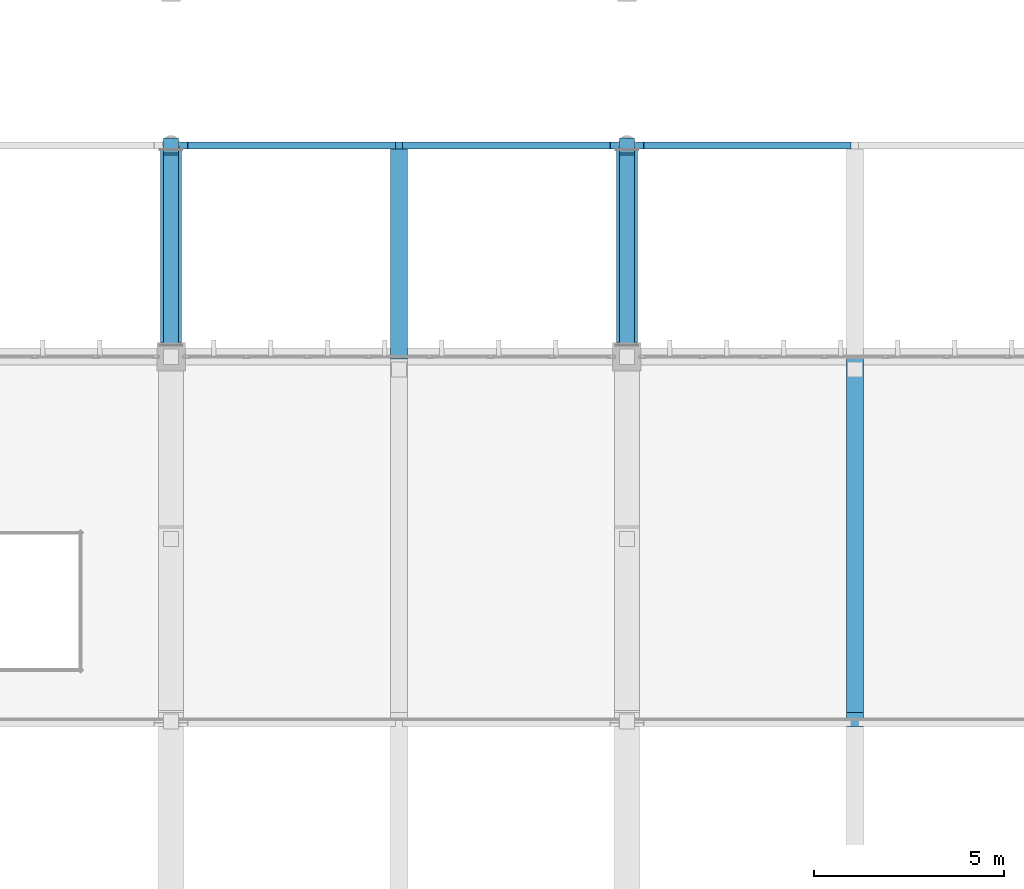
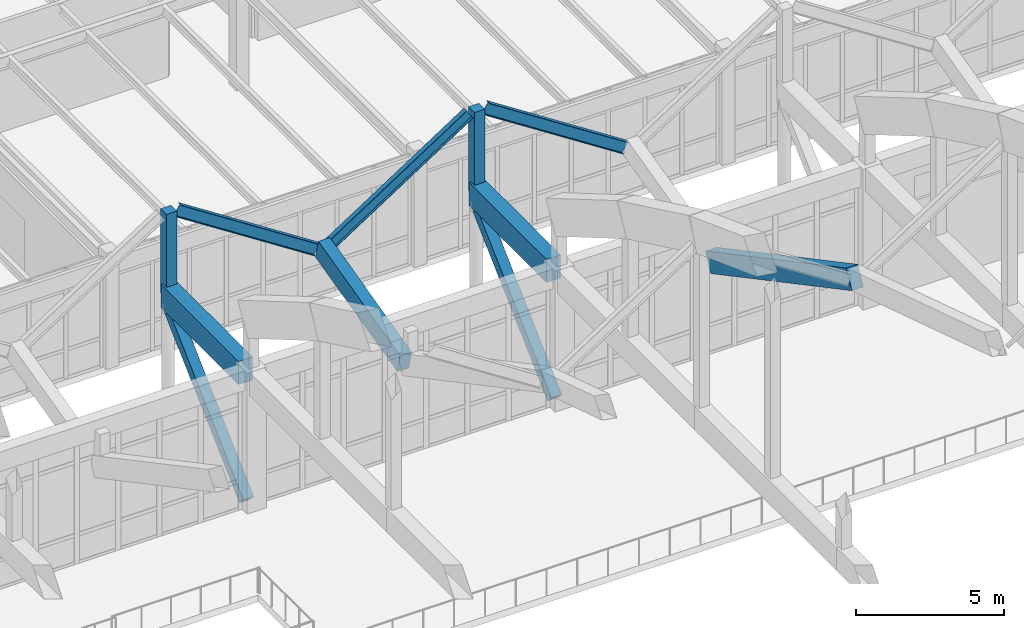
# One storey, part 86 of 236: 7 beams, 4 members.
"""IFC4 building model written with IfcOpenShell, lengths in metres."""

from ifc_helpers import new_model, si_unit, direction, frame, origin, origin_2d, place, context, subcontext, project, spatial, rectangle, i_section, extrude, material, material_profile, profile_set, type_object, element, save


model = new_model("IFC4")

# Units and contexts
model_context = context("Model", 3, precision=1e-05, world=origin(), true_north=direction((0.0, 1.0)))
body_context = subcontext(model_context, "Body", "Model", "MODEL_VIEW")
ifc_project = project(units=[si_unit("LENGTHUNIT", "METRE"), si_unit("AREAUNIT", "SQUARE_METRE"), si_unit("VOLUMEUNIT", "CUBIC_METRE"), si_unit("PLANEANGLEUNIT", "RADIAN"), si_unit("MASSUNIT", "GRAM", prefix="KILO")], contexts=[model_context])

# Site, building, storey
site_placement = place(None, origin())
site = spatial("IfcSite", under=ifc_project, at=site_placement, CompositionType="ELEMENT")
building_placement = place(site_placement, origin())
building = spatial("IfcBuilding", under=site, at=building_placement, Name="Pandanus Reach Market Hall", CompositionType="ELEMENT")
storey_placement = place(building_placement, frame((0.0, 0.0, 5.39990234375)))
storey = spatial("IfcBuildingStorey", under=building, at=storey_placement, Name="L01", CompositionType="ELEMENT", Elevation=5.39990234375)

# Members
ifc_material_1 = material(Name="Concrete N50 (50 MPa)", Category="concrete")
ifc_material_profile_1 = material_profile(ifc_material_1, rectangle(XDim=0.39990234375, YDim=0.39990234375, at=origin_2d()), Name="RC400x400", Category="LoadBearing")
ifc_profile_set_1 = profile_set([ifc_material_profile_1], Name="Concrete N50 (50 MPa)")
member_type_1 = type_object("IfcMemberType", Name="AR-WEB400-E", PredefinedType="STRUT", material=ifc_profile_set_1)
for number, where, z_axis, x_axis, name in (
    (1, (96.0, 91.9599609375, 5.3251953125), (0.0, 0.0, 1.0), (1.0, 0.0, 0.0), "Zigzag eaves ridge post A5.N"),
    (2, (108.0, 91.9599609375, 5.3251953125), (0.0, 0.0, 1.0), (1.0, 0.0, 0.0), "Zigzag eaves ridge post A6.N"),
):
    element("IfcMember", number, at=place(storey_placement, frame(where, z_axis=z_axis, x_axis=x_axis)), inside=storey, type_object=member_type_1, Name=name, PredefinedType="STRUT", context=body_context, shape_type="SweptSolid", body=[
        extrude(rectangle(XDim=0.39990234375, YDim=0.39990234375, at=origin_2d()), origin(), (0.0, 0.0, 1.0), 3.474853515625),
    ])

# Beams
ifc_material_2 = material(Name="Concrete N40 (40 MPa)", Category="concrete")
ifc_material_profile_2 = material_profile(ifc_material_2, rectangle(XDim=0.449951171875, YDim=0.800048828125, at=origin_2d()), Name="RC450x800", Category="LoadBearing")
ifc_profile_set_2 = profile_set([ifc_material_profile_2], Name="Concrete N40 (40 MPa)")
beam_type_1 = type_object("IfcBeamType", Name="BM-RC450-I", PredefinedType="BEAM", material=ifc_profile_set_2)
beam_1_placement = place(storey_placement, frame((102.0, 86.43994140625, 3.7900390625), z_axis=(0.0, 0.97055017704, 0.240899053231), x_axis=(-1.0, 0.0, 0.0)))
element("IfcBeam", 3, at=beam_1_placement, inside=storey, type_object=beam_type_1, Name="Butterfly valley beam B5.8", PredefinedType="BEAM", context=body_context, shape_type="SweptSolid", body=[
    extrude(rectangle(XDim=0.449951171875, YDim=0.800048828125, at=origin_2d()), origin(), (0.0, 0.0, 1.0), 5.6875),
])
beam_2_placement = place(storey_placement, frame((114.0, 76.840087890625, 8.88427734375), z_axis=(0.0, 0.882689208935, -0.469957189996), x_axis=(-1.0, 0.0, 0.0)))
element("IfcBeam", 4, at=beam_2_placement, inside=storey, type_object=beam_type_1, Name="Butterfly valley beam B6.7", PredefinedType="BEAM", context=body_context, shape_type="SweptSolid", body=[
    extrude(rectangle(XDim=0.449951171875, YDim=0.800048828125, at=origin_2d()), origin(), (0.0, 0.0, 1.0), 10.78515625),
])
ifc_material_profile_3 = material_profile(ifc_material_1, rectangle(XDim=0.550048828125, YDim=0.949951171875, at=origin_2d()), Name="RC550x950", Category="LoadBearing")
ifc_profile_set_3 = profile_set([ifc_material_profile_3], Name="Concrete N50 (50 MPa)")
beam_type_2 = type_object("IfcBeamType", Name="BM-RC550-E", PredefinedType="BEAM", material=ifc_profile_set_3)
for number, where, z_axis, x_axis, name in (
    (5, (96.0, 86.77001953125, 5.3251953125), (0.0, 1.0, 0.0), (-1.0, 0.0, 0.0), "Zigzag north eaves cantilever girder A5N"),
    (6, (108.0, 86.77001953125, 5.3251953125), (0.0, 1.0, 0.0), (-1.0, 0.0, 0.0), "Zigzag north eaves cantilever girder A6N"),
):
    element("IfcBeam", number, at=place(storey_placement, frame(where, z_axis=z_axis, x_axis=x_axis)), inside=storey, type_object=beam_type_2, Name=name, PredefinedType="BEAM", context=body_context, shape_type="SweptSolid", body=[
        extrude(rectangle(XDim=0.550048828125, YDim=0.949951171875, at=origin_2d()), origin(), (0.0, 0.0, 1.0), 5.22998046875),
    ])
ifc_material_3 = material(Name="Steel Grade 350 (350 MPa)", Category="steel")
ifc_material_profile_4 = material_profile(ifc_material_3, i_section(OverallWidth=0.18994140625, OverallDepth=0.45703125, WebThickness=0.009033203125, FlangeThickness=0.014404296875, at=origin_2d()), Name="460UB74.6", Category="LoadBearing")
ifc_profile_set_4 = profile_set([ifc_material_profile_4], Name="Steel Grade 350 (350 MPa)")
beam_type_3 = type_object("IfcBeamType", Name="BM-UB460-E", PredefinedType="BEAM", material=ifc_profile_set_4)
for number, where, z_axis, x_axis, name in (
    (7, (96.320068359375, 91.9599609375, 8.7001953125), (0.839070527962, 0.0, -0.544022654956), (0.0, 1.0, 0.0), "Butterfly transverse rib B5.8L"),
    (8, (102.219970703125, 91.9599609375, 5.16015625), (0.839070527962, 0.0, 0.544022654956), (0.0, 1.0, 0.0), "Butterfly transverse rib B5.8R"),
    (9, (108.320068359375, 91.9599609375, 8.7001953125), (0.839070527962, 0.0, -0.544022654956), (0.0, 1.0, 0.0), "Butterfly transverse rib B6.8L"),
):
    element("IfcBeam", number, at=place(storey_placement, frame(where, z_axis=z_axis, x_axis=x_axis)), inside=storey, type_object=beam_type_3, Name=name, PredefinedType="BEAM", context=body_context, shape_type="SweptSolid", body=[
        extrude(i_section(OverallWidth=0.18994140625, OverallDepth=0.45703125, WebThickness=0.009033203125, FlangeThickness=0.014404296875, at=origin_2d()), origin(), (0.0, 0.0, 1.0), 6.507080078125),
    ])

# Members
ifc_material_profile_5 = material_profile(ifc_material_1, rectangle(XDim=0.39990234375, YDim=0.39990234375, at=origin_2d()), Name="RC400x400", Category="LoadBearing")
ifc_profile_set_5 = profile_set([ifc_material_profile_5], Name="Concrete N50 (50 MPa)")
member_type_2 = type_object("IfcMemberType", Name="VS-RC400-E", PredefinedType="STRUT", material=ifc_profile_set_5)
for number, where, z_axis, x_axis, name in (
    (10, (96.0, 86.699951171875, 0.050048828125), (0.0, 0.727995304502, 0.685582115157), (-1.0, 0.0, 0.0), "Splayed concrete north arcade V-strut A5N"),
    (11, (108.0, 86.699951171875, 0.050048828125), (0.0, 0.727995304502, 0.685582115157), (-1.0, 0.0, 0.0), "Splayed concrete north arcade V-strut A6N"),
):
    element("IfcMember", number, at=place(storey_placement, frame(where, z_axis=z_axis, x_axis=x_axis)), inside=storey, type_object=member_type_2, Name=name, PredefinedType="STRUT", context=body_context, shape_type="SweptSolid", body=[
        extrude(rectangle(XDim=0.39990234375, YDim=0.39990234375, at=origin_2d()), origin(), (0.0, 0.0, 1.0), 7.074462890625),
    ])

save(model, "model.ifc")
